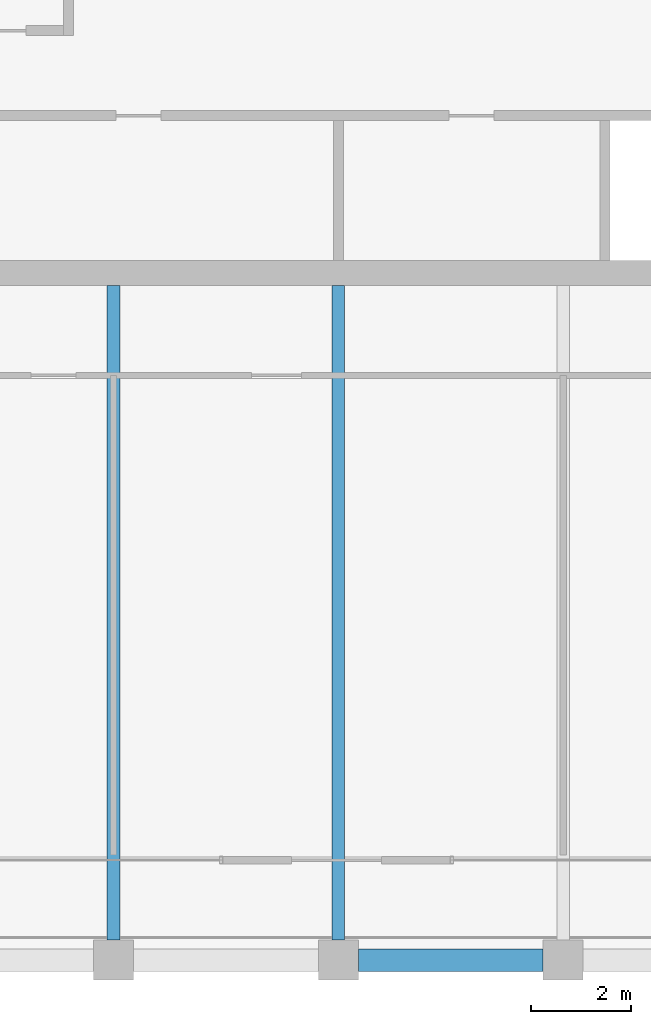
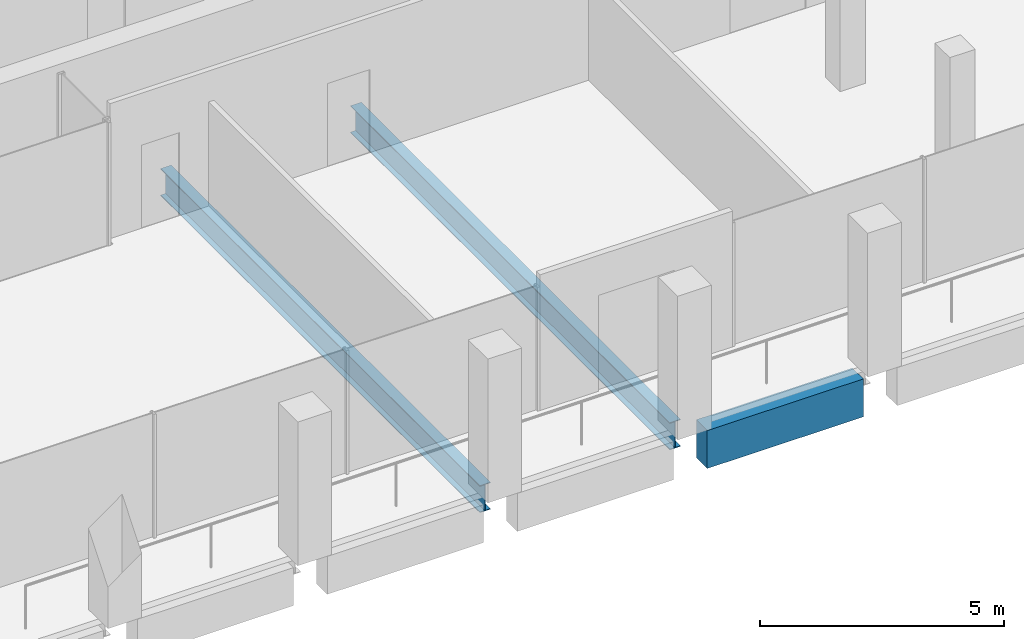
# One storey, part 8 of 30: 3 beams.
"""IFC4 building model written with IfcOpenShell, lengths in metres."""

from ifc_helpers import new_model, si_unit, direction, frame, origin, origin_2d, place, context, subcontext, project, spatial, rectangle, i_section, extrude, material, material_profile, profile_set, type_object, element, save


model = new_model("IFC4")

# Units and contexts
model_context = context("Model", 3, precision=1e-05, world=origin(), true_north=direction((0.0, 1.0)))
body_context = subcontext(model_context, "Body", "Model", "MODEL_VIEW")
ifc_project = project(units=[si_unit("LENGTHUNIT", "METRE"), si_unit("AREAUNIT", "SQUARE_METRE"), si_unit("VOLUMEUNIT", "CUBIC_METRE"), si_unit("PLANEANGLEUNIT", "RADIAN"), si_unit("MASSUNIT", "GRAM", prefix="KILO")], contexts=[model_context])

# Site, building, storey
site_placement = place(None, origin())
site = spatial("IfcSite", under=ifc_project, at=site_placement, CompositionType="ELEMENT")
building_placement = place(site_placement, origin())
building = spatial("IfcBuilding", under=site, at=building_placement, Name="Altepetl Exchange Towers", CompositionType="ELEMENT")
storey_placement = place(building_placement, frame((0.0, 0.0, 242.39990234375)))
storey = spatial("IfcBuildingStorey", under=building, at=storey_placement, Name="L62", CompositionType="ELEMENT", Elevation=242.39990234375)

# Beams
ifc_material_1 = material(Name="Steel S355", Category="steel")
ifc_material_profile_1 = material_profile(ifc_material_1, i_section(OverallWidth=0.2529296875, OverallDepth=0.677978515625, WebThickness=0.01171875, FlangeThickness=0.016357421875, at=origin_2d()), Name="W27X84")
ifc_profile_set_1 = profile_set([ifc_material_profile_1], Name="Steel S355")
beam_type_1 = type_object("IfcBeamType", Name="Floor beam W27X84", PredefinedType="BEAM", material=ifc_profile_set_1)
for number, where, z_axis, x_axis, name in (
    (1, (45.0, 27.39990234375, -0.489013671875), (0.0, 1.0, 0.0), (-1.0, 0.0, 0.0), "bm:A:L62:015"),
    (2, (49.5, 27.39990234375, -0.489013671875), (0.0, 1.0, 0.0), (-1.0, 0.0, 0.0), "bm:A:L62:016"),
):
    element("IfcBeam", number, at=place(storey_placement, frame(where, z_axis=z_axis, x_axis=x_axis)), inside=storey, type_object=beam_type_1, Name=name, PredefinedType="BEAM", context=body_context, shape_type="SweptSolid", body=[
        extrude(i_section(OverallWidth=0.2529296875, OverallDepth=0.677978515625, WebThickness=0.01171875, FlangeThickness=0.016357421875, at=origin_2d()), origin(), (0.0, 0.0, 1.0), 13.10009765625),
    ])
ifc_material_2 = material(Name="Concrete C50/60 precast with cantera blanca facing", Category="concrete")
ifc_material_profile_2 = material_profile(ifc_material_2, rectangle(XDim=0.449951171875, YDim=0.949951171875, at=origin_2d()), Name="450 x 950")
ifc_profile_set_2 = profile_set([ifc_material_profile_2], Name="Concrete C50/60 precast with cantera blanca facing")
beam_type_2 = type_object("IfcBeamType", Name="Spandrel beam 450x950 cantera blanca", PredefinedType="SPANDREL", material=ifc_profile_set_2)
beam_placement = place(storey_placement, frame((49.89990234375, 27.0, -0.625), z_axis=(1.0, 0.0, 0.0), x_axis=(0.0, 1.0, 0.0)))
element("IfcBeam", 3, at=beam_placement, inside=storey, type_object=beam_type_2, Name="sp:A:L62:004", PredefinedType="SPANDREL", context=body_context, shape_type="SweptSolid", body=[
    extrude(rectangle(XDim=0.449951171875, YDim=0.949951171875, at=origin_2d()), origin(), (0.0, 0.0, 1.0), 3.7001953125),
])

save(model, "model.ifc")
